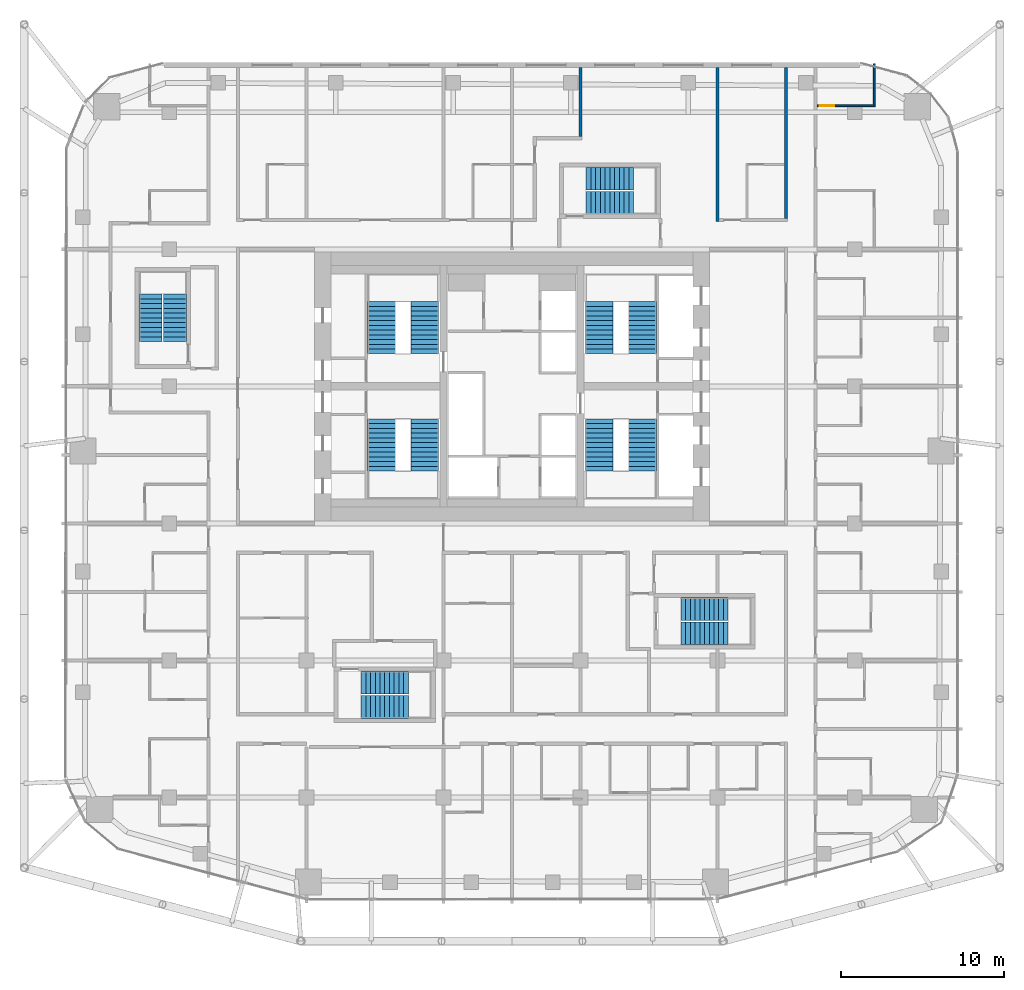
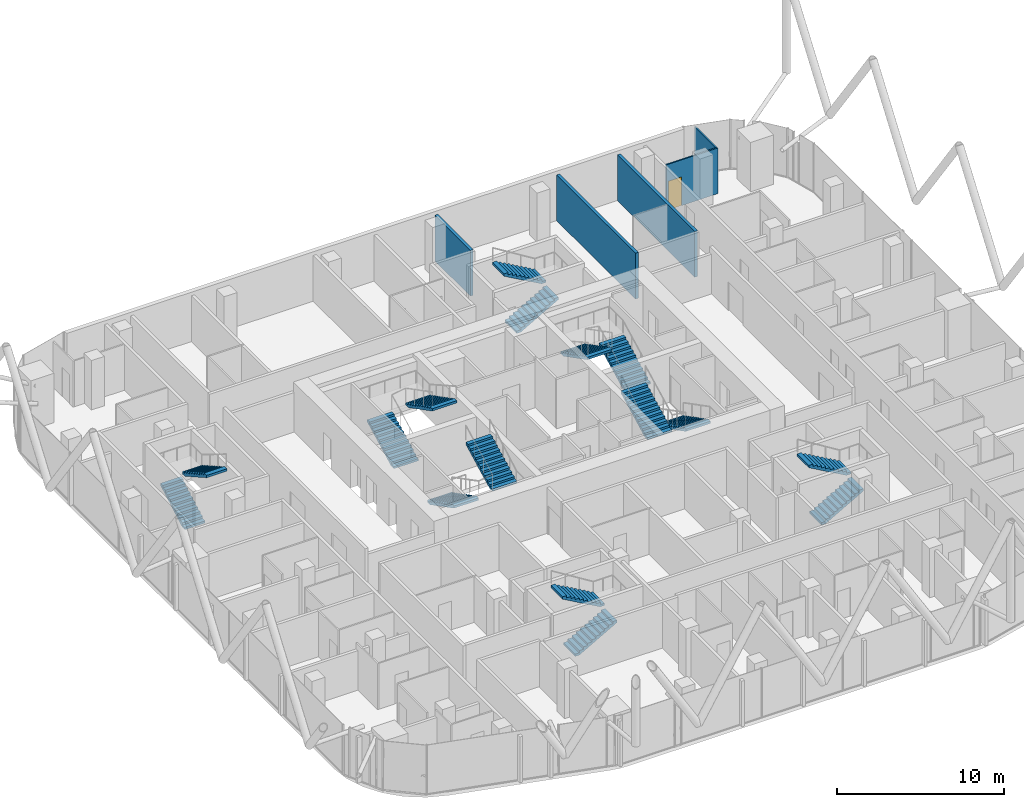
# One storey, part 34 of 36: 16 stair flights, 5 walls, 1 door, 1 opening, 8 elements without a shape of their own.
"""IFC4 building model written with IfcOpenShell, lengths in metres."""

from ifc_helpers import new_model, si_unit, direction, frame, frame_2d, origin, place, context, subcontext, project, spatial, polyline, rectangle, outline, extrude, material, layer, layer_set, type_object, element, fill, aggregate, save


model = new_model("IFC4")

# Units and contexts
model_context = context("Model", 3, precision=1e-05, world=origin(), true_north=direction((0.0, 1.0)))
body_context = subcontext(model_context, "Body", "Model", "MODEL_VIEW")
ifc_project = project(units=[si_unit("LENGTHUNIT", "METRE"), si_unit("AREAUNIT", "SQUARE_METRE"), si_unit("VOLUMEUNIT", "CUBIC_METRE"), si_unit("PLANEANGLEUNIT", "RADIAN"), si_unit("MASSUNIT", "GRAM", prefix="KILO")], contexts=[model_context])

# Site, building, storey
site_placement = place(None, origin())
site = spatial("IfcSite", under=ifc_project, at=site_placement, CompositionType="ELEMENT")
building_placement = place(site_placement, origin())
building = spatial("IfcBuilding", under=site, at=building_placement, Name="Marenta Gate Hotel Tower", CompositionType="ELEMENT")
storey_placement = place(building_placement, frame((0.0, 0.0, 144.5)))
storey = spatial("IfcBuildingStorey", under=building, at=storey_placement, Name="L33", CompositionType="ELEMENT", Elevation=144.5)

# Walls
ifc_material_1 = material(Name="Gypsum board on steel stud", Category="steel")
ifc_layer_1 = layer(ifc_material_1, 0.199951171875)
ifc_layer_set_1 = layer_set([ifc_layer_1], Name="Gypsum board on steel stud")
wall_type_1 = type_object("IfcWallType", Name="Room corridor wall 200 EI 60", PredefinedType="PARTITIONING", material=ifc_layer_set_1)
wall_1_placement = place(storey_placement, frame((16.800048828125, 18.699951171875, 0.0), z_axis=(0.0, 0.0, 1.0), x_axis=(0.0, 1.0, 0.0)))
element("IfcWall", 1, at=wall_1_placement, inside=storey, type_object=wall_type_1, Name="L33-PTN-W019", PredefinedType="PARTITIONING", context=body_context, shape_type="SweptSolid", body=[
    extrude(rectangle(XDim=9.239990234375, YDim=0.199951171875, at=frame_2d((4.6201171875, 0.0))), origin(), (0.0, 0.0, 1.0), 3.340087890625),
])
wall_2_placement = place(storey_placement, frame((12.60009765625, 18.5, 0.0), z_axis=(0.0, 0.0, 1.0), x_axis=(0.0, 1.0, 0.0)))
element("IfcWall", 2, at=wall_2_placement, inside=storey, type_object=wall_type_1, Name="L33-PTN-W035", PredefinedType="PARTITIONING", context=body_context, shape_type="SweptSolid", body=[
    extrude(rectangle(XDim=9.43994140625, YDim=0.199951171875, at=frame_2d((4.719970703125, 0.0))), origin(), (0.0, 0.0, 1.0), 3.340087890625),
])
wall_3_placement = place(storey_placement, frame((4.199951171875, 23.699951171875, 0.0), z_axis=(0.0, 0.0, 1.0), x_axis=(0.0, 1.0, 0.0)))
element("IfcWall", 3, at=wall_3_placement, inside=storey, type_object=wall_type_1, Name="L33-PTN-W062", PredefinedType="PARTITIONING", context=body_context, shape_type="SweptSolid", body=[
    extrude(rectangle(XDim=4.239990234375, YDim=0.199951171875, at=frame_2d((2.1201171875, 0.0))), origin(), (0.0, 0.0, 1.0), 3.340087890625),
])
ifc_material_2 = material(Name="Gypsum board on steel stud", Category="steel")
ifc_layer_2 = layer(ifc_material_2, 0.10009765625)
ifc_layer_set_2 = layer_set([ifc_layer_2], Name="Gypsum board on steel stud")
wall_type_2 = type_object("IfcWallType", Name="Room partition 100", PredefinedType="PARTITIONING", material=ifc_layer_set_2)
wall_4_placement = place(storey_placement, frame((22.199951171875, 25.64990234375, 0.0), z_axis=(0.0, 0.0, 1.0), x_axis=(0.0, 1.0, 0.0)))
element("IfcWall", 4, at=wall_4_placement, inside=storey, type_object=wall_type_2, Name="L33-PTN-W002", PredefinedType="PARTITIONING", context=body_context, shape_type="SweptSolid", body=[
    extrude(rectangle(XDim=2.531982421875, YDim=0.10009765625, at=frame_2d((1.26611328125, 0.0))), origin(), (0.0, 0.0, 1.0), 3.340087890625),
])

# Wall, opening, door
wall_5_placement = place(storey_placement, frame((18.699951171875, 25.60009765625, 0.0), z_axis=(0.0, 0.0, 1.0), x_axis=(1.0, 0.0, 0.0)))
wall_5 = element("IfcWall", 5, at=wall_5_placement, inside=storey, type_object=wall_type_2, Name="L33-PTN-W130", PredefinedType="PARTITIONING", context=body_context, shape_type="SweptSolid", body=[
    extrude(rectangle(XDim=3.550048828125, YDim=0.10009765625, at=frame_2d((1.77490234375, 0.0))), origin(), (0.0, 0.0, 1.0), 3.340087890625),
])
opening_placement = place(wall_5_placement, frame((0.14990234375, 0.0, 0.0)))
opening = element("IfcOpeningElement", 6, at=opening_placement, cuts=wall_5, Name="Opening G12-28", PredefinedType="OPENING", context=body_context, shape_type="SweptSolid", body=[
    extrude(rectangle(XDim=0.89990234375, YDim=2.10009765625, at=frame_2d((0.449951171875, 1.050048828125))), frame((0.0, 0.050048828125, 0.0), z_axis=(0.0, -1.0, 0.0), x_axis=(1.0, 0.0, 0.0)), (0.0, 0.0, 1.0), 0.10009765625),
])
ifc_material_3 = material(Name="Timber door leaf", Category="wood")
door_type = type_object("IfcDoorType", Name="Room inner door 900x2100", OperationType="NOTDEFINED", PredefinedType="DOOR", material=ifc_material_3)
door_placement = place(opening_placement, origin())
door = element("IfcDoor", 7, at=door_placement, inside=storey, type_object=door_type, Name="L33-PD-D028", OperationType="SINGLE_SWING_LEFT", OverallHeight=2.10009765625, OverallWidth=0.89990234375, PredefinedType="DOOR", context=body_context, shape_type="SweptSolid", body=[
    extrude(rectangle(XDim=0.89990234375, YDim=2.10009765625, at=frame_2d((0.449951171875, 1.050048828125))), frame((0.0, 0.02490234375, 0.0), z_axis=(0.0, -1.0, 0.0), x_axis=(1.0, 0.0, 0.0)), (0.0, 0.0, 1.0), 0.050048828125),
])
fill(opening, door)

# Stair, stair flights
ifc_material_4 = material(Name="Concrete C40", Category="concrete")
stair_type_1 = type_object("IfcStairType", Name="Core exit stair 1700 wide", PredefinedType="HALF_TURN_STAIR", material=ifc_material_4)
stair_1_placement = place(storey_placement, origin())
stair_1 = element("IfcStair", 8, at=stair_1_placement, inside=storey, type_object=stair_type_1, Name="Exit stair 1", PredefinedType="HALF_TURN_STAIR")
ifc_material_5 = material(Name="Concrete C40", Category="concrete")
stair_flight_type_1 = type_object("IfcStairFlightType", Name="Core stair flight 1700 riser 150.0 going 290", PredefinedType="STRAIGHT", material=ifc_material_5)
stair_flight_1_placement = place(storey_placement, frame((-8.0, 6.39990234375, 0.0), z_axis=(0.0, 0.0, 1.0), x_axis=(0.0, -1.0, 0.0)))
stair_flight_1 = element("IfcStairFlight", 9, at=stair_flight_1_placement, type_object=stair_flight_type_1, Name="ST1 flight 1", NumberOfRisers=12, NumberOfTreads=11, PredefinedType="STRAIGHT", RiserHeight=0.15, TreadLength=0.29, context=body_context, shape_type="SweptSolid", body=[
    extrude(outline(polyline([(0.0, 0.0), (0.0, 0.14990234375), (0.2900390625, 0.14990234375), (0.2900390625, 0.300048828125), (0.580078125, 0.300048828125), (0.580078125, 0.449951171875), (0.8701171875, 0.449951171875), (0.8701171875, 0.60009765625), (1.159912109375, 0.60009765625), (1.159912109375, 0.75), (1.449951171875, 0.75), (1.449951171875, 0.89990234375), (1.739990234375, 0.89990234375), (1.739990234375, 1.050048828125), (2.030029296875, 1.050048828125), (2.030029296875, 1.199951171875), (2.320068359375, 1.199951171875), (2.320068359375, 1.35009765625), (2.610107421875, 1.35009765625), (2.610107421875, 1.5), (2.89990234375, 1.5), (2.89990234375, 1.64990234375), (3.18994140625, 1.64990234375), (3.18994140625, 1.800048828125), (3.18994140625, 1.481201171875), (0.326171875, 0.0), (0.0, 0.0)])), frame((0.0, 0.85009765625, 0.0), z_axis=(0.0, -1.0, 0.0), x_axis=(1.0, 0.0, 0.0)), (0.0, 0.0, 1.0), 1.699951171875),
])
stair_flight_2_placement = place(storey_placement, frame((-5.35009765625, 3.2099609375, 1.800048828125), z_axis=(0.0, 0.0, 1.0), x_axis=(0.0, 1.0, 0.0)))
stair_flight_2 = element("IfcStairFlight", 10, at=stair_flight_2_placement, type_object=stair_flight_type_1, Name="ST1 flight 2", NumberOfRisers=12, NumberOfTreads=11, PredefinedType="STRAIGHT", RiserHeight=0.15, TreadLength=0.29, context=body_context, shape_type="SweptSolid", body=[
    extrude(outline(polyline([(0.0, 0.0), (0.0, 0.14990234375), (0.2900390625, 0.14990234375), (0.2900390625, 0.300048828125), (0.580078125, 0.300048828125), (0.580078125, 0.449951171875), (0.8701171875, 0.449951171875), (0.8701171875, 0.60009765625), (1.159912109375, 0.60009765625), (1.159912109375, 0.75), (1.449951171875, 0.75), (1.449951171875, 0.89990234375), (1.739990234375, 0.89990234375), (1.739990234375, 1.050048828125), (2.030029296875, 1.050048828125), (2.030029296875, 1.199951171875), (2.320068359375, 1.199951171875), (2.320068359375, 1.35009765625), (2.610107421875, 1.35009765625), (2.610107421875, 1.5), (2.89990234375, 1.5), (2.89990234375, 1.64990234375), (3.18994140625, 1.64990234375), (3.18994140625, 1.800048828125), (3.18994140625, 1.481201171875), (0.326171875, 0.0), (0.0, 0.0)])), frame((0.0, 0.85009765625, 0.0), z_axis=(0.0, -1.0, 0.0), x_axis=(1.0, 0.0, 0.0)), (0.0, 0.0, 1.0), 1.699951171875),
])
aggregate(stair_1, [stair_flight_1, stair_flight_2])

stair_2_placement = place(storey_placement, origin())
stair_2 = element("IfcStair", 11, at=stair_2_placement, inside=storey, type_object=stair_type_1, Name="Exit stair 2", PredefinedType="HALF_TURN_STAIR")
stair_flight_3_placement = place(storey_placement, frame((-8.0, 10.39990234375, 0.0), z_axis=(0.0, 0.0, 1.0), x_axis=(0.0, 1.0, 0.0)))
stair_flight_3 = element("IfcStairFlight", 12, at=stair_flight_3_placement, type_object=stair_flight_type_1, Name="ST2 flight 1", NumberOfRisers=12, NumberOfTreads=11, PredefinedType="STRAIGHT", RiserHeight=0.15, TreadLength=0.29, context=body_context, shape_type="SweptSolid", body=[
    extrude(outline(polyline([(0.0, 0.0), (0.0, 0.14990234375), (0.2900390625, 0.14990234375), (0.2900390625, 0.300048828125), (0.580078125, 0.300048828125), (0.580078125, 0.449951171875), (0.8701171875, 0.449951171875), (0.8701171875, 0.60009765625), (1.159912109375, 0.60009765625), (1.159912109375, 0.75), (1.449951171875, 0.75), (1.449951171875, 0.89990234375), (1.739990234375, 0.89990234375), (1.739990234375, 1.050048828125), (2.030029296875, 1.050048828125), (2.030029296875, 1.199951171875), (2.320068359375, 1.199951171875), (2.320068359375, 1.35009765625), (2.610107421875, 1.35009765625), (2.610107421875, 1.5), (2.89990234375, 1.5), (2.89990234375, 1.64990234375), (3.18994140625, 1.64990234375), (3.18994140625, 1.800048828125), (3.18994140625, 1.481201171875), (0.326171875, 0.0), (0.0, 0.0)])), frame((0.0, 0.85009765625, 0.0), z_axis=(0.0, -1.0, 0.0), x_axis=(1.0, 0.0, 0.0)), (0.0, 0.0, 1.0), 1.699951171875),
])
stair_flight_4_placement = place(storey_placement, frame((-5.35009765625, 13.590087890625, 1.800048828125), z_axis=(0.0, 0.0, 1.0), x_axis=(0.0, -1.0, 0.0)))
stair_flight_4 = element("IfcStairFlight", 13, at=stair_flight_4_placement, type_object=stair_flight_type_1, Name="ST2 flight 2", NumberOfRisers=12, NumberOfTreads=11, PredefinedType="STRAIGHT", RiserHeight=0.15, TreadLength=0.29, context=body_context, shape_type="SweptSolid", body=[
    extrude(outline(polyline([(0.0, 0.0), (0.0, 0.14990234375), (0.2900390625, 0.14990234375), (0.2900390625, 0.300048828125), (0.580078125, 0.300048828125), (0.580078125, 0.449951171875), (0.8701171875, 0.449951171875), (0.8701171875, 0.60009765625), (1.159912109375, 0.60009765625), (1.159912109375, 0.75), (1.449951171875, 0.75), (1.449951171875, 0.89990234375), (1.739990234375, 0.89990234375), (1.739990234375, 1.050048828125), (2.030029296875, 1.050048828125), (2.030029296875, 1.199951171875), (2.320068359375, 1.199951171875), (2.320068359375, 1.35009765625), (2.610107421875, 1.35009765625), (2.610107421875, 1.5), (2.89990234375, 1.5), (2.89990234375, 1.64990234375), (3.18994140625, 1.64990234375), (3.18994140625, 1.800048828125), (3.18994140625, 1.481201171875), (0.326171875, 0.0), (0.0, 0.0)])), frame((0.0, 0.85009765625, 0.0), z_axis=(0.0, -1.0, 0.0), x_axis=(1.0, 0.0, 0.0)), (0.0, 0.0, 1.0), 1.699951171875),
])
aggregate(stair_2, [stair_flight_3, stair_flight_4])

stair_3_placement = place(storey_placement, origin())
stair_3 = element("IfcStair", 14, at=stair_3_placement, inside=storey, type_object=stair_type_1, Name="Exit stair 3", PredefinedType="HALF_TURN_STAIR")
stair_flight_5_placement = place(storey_placement, frame((8.0, 6.39990234375, 0.0), z_axis=(0.0, 0.0, 1.0), x_axis=(0.0, -1.0, 0.0)))
stair_flight_5 = element("IfcStairFlight", 15, at=stair_flight_5_placement, type_object=stair_flight_type_1, Name="ST3 flight 1", NumberOfRisers=12, NumberOfTreads=11, PredefinedType="STRAIGHT", RiserHeight=0.15, TreadLength=0.29, context=body_context, shape_type="SweptSolid", body=[
    extrude(outline(polyline([(0.0, 0.0), (0.0, 0.14990234375), (0.2900390625, 0.14990234375), (0.2900390625, 0.300048828125), (0.580078125, 0.300048828125), (0.580078125, 0.449951171875), (0.8701171875, 0.449951171875), (0.8701171875, 0.60009765625), (1.159912109375, 0.60009765625), (1.159912109375, 0.75), (1.449951171875, 0.75), (1.449951171875, 0.89990234375), (1.739990234375, 0.89990234375), (1.739990234375, 1.050048828125), (2.030029296875, 1.050048828125), (2.030029296875, 1.199951171875), (2.320068359375, 1.199951171875), (2.320068359375, 1.35009765625), (2.610107421875, 1.35009765625), (2.610107421875, 1.5), (2.89990234375, 1.5), (2.89990234375, 1.64990234375), (3.18994140625, 1.64990234375), (3.18994140625, 1.800048828125), (3.18994140625, 1.481201171875), (0.326171875, 0.0), (0.0, 0.0)])), frame((0.0, 0.85009765625, 0.0), z_axis=(0.0, -1.0, 0.0), x_axis=(1.0, 0.0, 0.0)), (0.0, 0.0, 1.0), 1.699951171875),
])
stair_flight_6_placement = place(storey_placement, frame((5.35009765625, 3.2099609375, 1.800048828125), z_axis=(0.0, 0.0, 1.0), x_axis=(0.0, 1.0, 0.0)))
stair_flight_6 = element("IfcStairFlight", 16, at=stair_flight_6_placement, type_object=stair_flight_type_1, Name="ST3 flight 2", NumberOfRisers=12, NumberOfTreads=11, PredefinedType="STRAIGHT", RiserHeight=0.15, TreadLength=0.29, context=body_context, shape_type="SweptSolid", body=[
    extrude(outline(polyline([(0.0, 0.0), (0.0, 0.14990234375), (0.2900390625, 0.14990234375), (0.2900390625, 0.300048828125), (0.580078125, 0.300048828125), (0.580078125, 0.449951171875), (0.8701171875, 0.449951171875), (0.8701171875, 0.60009765625), (1.159912109375, 0.60009765625), (1.159912109375, 0.75), (1.449951171875, 0.75), (1.449951171875, 0.89990234375), (1.739990234375, 0.89990234375), (1.739990234375, 1.050048828125), (2.030029296875, 1.050048828125), (2.030029296875, 1.199951171875), (2.320068359375, 1.199951171875), (2.320068359375, 1.35009765625), (2.610107421875, 1.35009765625), (2.610107421875, 1.5), (2.89990234375, 1.5), (2.89990234375, 1.64990234375), (3.18994140625, 1.64990234375), (3.18994140625, 1.800048828125), (3.18994140625, 1.481201171875), (0.326171875, 0.0), (0.0, 0.0)])), frame((0.0, 0.85009765625, 0.0), z_axis=(0.0, -1.0, 0.0), x_axis=(1.0, 0.0, 0.0)), (0.0, 0.0, 1.0), 1.699951171875),
])
aggregate(stair_3, [stair_flight_5, stair_flight_6])

stair_4_placement = place(storey_placement, origin())
stair_4 = element("IfcStair", 17, at=stair_4_placement, inside=storey, type_object=stair_type_1, Name="Exit stair 4", PredefinedType="HALF_TURN_STAIR")
stair_flight_7_placement = place(storey_placement, frame((8.0, 10.39990234375, 0.0), z_axis=(0.0, 0.0, 1.0), x_axis=(0.0, 1.0, 0.0)))
stair_flight_7 = element("IfcStairFlight", 18, at=stair_flight_7_placement, type_object=stair_flight_type_1, Name="ST4 flight 1", NumberOfRisers=12, NumberOfTreads=11, PredefinedType="STRAIGHT", RiserHeight=0.15, TreadLength=0.29, context=body_context, shape_type="SweptSolid", body=[
    extrude(outline(polyline([(0.0, 0.0), (0.0, 0.14990234375), (0.2900390625, 0.14990234375), (0.2900390625, 0.300048828125), (0.580078125, 0.300048828125), (0.580078125, 0.449951171875), (0.8701171875, 0.449951171875), (0.8701171875, 0.60009765625), (1.159912109375, 0.60009765625), (1.159912109375, 0.75), (1.449951171875, 0.75), (1.449951171875, 0.89990234375), (1.739990234375, 0.89990234375), (1.739990234375, 1.050048828125), (2.030029296875, 1.050048828125), (2.030029296875, 1.199951171875), (2.320068359375, 1.199951171875), (2.320068359375, 1.35009765625), (2.610107421875, 1.35009765625), (2.610107421875, 1.5), (2.89990234375, 1.5), (2.89990234375, 1.64990234375), (3.18994140625, 1.64990234375), (3.18994140625, 1.800048828125), (3.18994140625, 1.481201171875), (0.326171875, 0.0), (0.0, 0.0)])), frame((0.0, 0.85009765625, 0.0), z_axis=(0.0, -1.0, 0.0), x_axis=(1.0, 0.0, 0.0)), (0.0, 0.0, 1.0), 1.699951171875),
])
stair_flight_8_placement = place(storey_placement, frame((5.35009765625, 13.590087890625, 1.800048828125), z_axis=(0.0, 0.0, 1.0), x_axis=(0.0, -1.0, 0.0)))
stair_flight_8 = element("IfcStairFlight", 19, at=stair_flight_8_placement, type_object=stair_flight_type_1, Name="ST4 flight 2", NumberOfRisers=12, NumberOfTreads=11, PredefinedType="STRAIGHT", RiserHeight=0.15, TreadLength=0.29, context=body_context, shape_type="SweptSolid", body=[
    extrude(outline(polyline([(0.0, 0.0), (0.0, 0.14990234375), (0.2900390625, 0.14990234375), (0.2900390625, 0.300048828125), (0.580078125, 0.300048828125), (0.580078125, 0.449951171875), (0.8701171875, 0.449951171875), (0.8701171875, 0.60009765625), (1.159912109375, 0.60009765625), (1.159912109375, 0.75), (1.449951171875, 0.75), (1.449951171875, 0.89990234375), (1.739990234375, 0.89990234375), (1.739990234375, 1.050048828125), (2.030029296875, 1.050048828125), (2.030029296875, 1.199951171875), (2.320068359375, 1.199951171875), (2.320068359375, 1.35009765625), (2.610107421875, 1.35009765625), (2.610107421875, 1.5), (2.89990234375, 1.5), (2.89990234375, 1.64990234375), (3.18994140625, 1.64990234375), (3.18994140625, 1.800048828125), (3.18994140625, 1.481201171875), (0.326171875, 0.0), (0.0, 0.0)])), frame((0.0, 0.85009765625, 0.0), z_axis=(0.0, -1.0, 0.0), x_axis=(1.0, 0.0, 0.0)), (0.0, 0.0, 1.0), 1.699951171875),
])
aggregate(stair_4, [stair_flight_7, stair_flight_8])

ifc_material_6 = material(Name="Concrete C40", Category="concrete")
stair_type_2 = type_object("IfcStairType", Name="Remote exit stair 1400 wide", PredefinedType="HALF_TURN_STAIR", material=ifc_material_6)
stair_5_placement = place(storey_placement, origin())
stair_5 = element("IfcStair", 20, at=stair_5_placement, inside=storey, type_object=stair_type_2, Name="Exit stair RS-Z1-3", PredefinedType="HALF_TURN_STAIR")
ifc_material_7 = material(Name="Concrete C40", Category="concrete")
stair_flight_type_2 = type_object("IfcStairFlightType", Name="Remote stair flight 1400 riser 163.6 going 290", PredefinedType="STRAIGHT", material=ifc_material_7)
stair_flight_9_placement = place(storey_placement, frame((-22.14990234375, 11.14990234375, 0.0), z_axis=(0.0, 0.0, 1.0), x_axis=(0.0, 1.0, 0.0)))
stair_flight_9 = element("IfcStairFlight", 21, at=stair_flight_9_placement, type_object=stair_flight_type_2, Name="RS-Z1-3 flight 1", NumberOfRisers=11, NumberOfTreads=10, PredefinedType="STRAIGHT", RiserHeight=0.163636, TreadLength=0.29, context=body_context, shape_type="SweptSolid", body=[
    extrude(outline(polyline([(0.0, 0.0), (0.0, 0.16357421875), (0.2900390625, 0.16357421875), (0.2900390625, 0.327392578125), (0.580078125, 0.327392578125), (0.580078125, 0.490966796875), (0.8701171875, 0.490966796875), (0.8701171875, 0.654541015625), (1.159912109375, 0.654541015625), (1.159912109375, 0.818115234375), (1.449951171875, 0.818115234375), (1.449951171875, 0.98193359375), (1.739990234375, 0.98193359375), (1.739990234375, 1.1455078125), (2.030029296875, 1.1455078125), (2.030029296875, 1.30908203125), (2.320068359375, 1.30908203125), (2.320068359375, 1.47265625), (2.610107421875, 1.47265625), (2.610107421875, 1.636474609375), (2.89990234375, 1.636474609375), (2.89990234375, 1.800048828125), (2.89990234375, 1.46435546875), (0.304931640625, 0.0), (0.0, 0.0)])), frame((0.0, 0.699951171875, 0.0), z_axis=(0.0, -1.0, 0.0), x_axis=(1.0, 0.0, 0.0)), (0.0, 0.0, 1.0), 1.39990234375),
])
stair_flight_10_placement = place(storey_placement, frame((-20.64990234375, 14.050048828125, 1.800048828125), z_axis=(0.0, 0.0, 1.0), x_axis=(0.0, -1.0, 0.0)))
stair_flight_10 = element("IfcStairFlight", 22, at=stair_flight_10_placement, type_object=stair_flight_type_2, Name="RS-Z1-3 flight 2", NumberOfRisers=11, NumberOfTreads=10, PredefinedType="STRAIGHT", RiserHeight=0.163636, TreadLength=0.29, context=body_context, shape_type="SweptSolid", body=[
    extrude(outline(polyline([(0.0, 0.0), (0.0, 0.16357421875), (0.2900390625, 0.16357421875), (0.2900390625, 0.327392578125), (0.580078125, 0.327392578125), (0.580078125, 0.490966796875), (0.8701171875, 0.490966796875), (0.8701171875, 0.654541015625), (1.159912109375, 0.654541015625), (1.159912109375, 0.818115234375), (1.449951171875, 0.818115234375), (1.449951171875, 0.98193359375), (1.739990234375, 0.98193359375), (1.739990234375, 1.1455078125), (2.030029296875, 1.1455078125), (2.030029296875, 1.30908203125), (2.320068359375, 1.30908203125), (2.320068359375, 1.47265625), (2.610107421875, 1.47265625), (2.610107421875, 1.636474609375), (2.89990234375, 1.636474609375), (2.89990234375, 1.800048828125), (2.89990234375, 1.46435546875), (0.304931640625, 0.0), (0.0, 0.0)])), frame((0.0, 0.699951171875, 0.0), z_axis=(0.0, -1.0, 0.0), x_axis=(1.0, 0.0, 0.0)), (0.0, 0.0, 1.0), 1.39990234375),
])
aggregate(stair_5, [stair_flight_9, stair_flight_10])

stair_6_placement = place(storey_placement, origin())
stair_6 = element("IfcStair", 23, at=stair_6_placement, inside=storey, type_object=stair_type_2, Name="Exit stair RS-Z2-1", PredefinedType="HALF_TURN_STAIR")
stair_flight_11_placement = place(storey_placement, frame((-9.25, -11.25, 0.0), z_axis=(0.0, 0.0, 1.0), x_axis=(1.0, 0.0, 0.0)))
stair_flight_11 = element("IfcStairFlight", 24, at=stair_flight_11_placement, type_object=stair_flight_type_2, Name="RS-Z2-1 flight 1", NumberOfRisers=11, NumberOfTreads=10, PredefinedType="STRAIGHT", RiserHeight=0.163636, TreadLength=0.29, context=body_context, shape_type="SweptSolid", body=[
    extrude(outline(polyline([(0.0, 0.0), (0.0, 0.16357421875), (0.2900390625, 0.16357421875), (0.2900390625, 0.327392578125), (0.580078125, 0.327392578125), (0.580078125, 0.490966796875), (0.8701171875, 0.490966796875), (0.8701171875, 0.654541015625), (1.159912109375, 0.654541015625), (1.159912109375, 0.818115234375), (1.449951171875, 0.818115234375), (1.449951171875, 0.98193359375), (1.739990234375, 0.98193359375), (1.739990234375, 1.1455078125), (2.030029296875, 1.1455078125), (2.030029296875, 1.30908203125), (2.320068359375, 1.30908203125), (2.320068359375, 1.47265625), (2.610107421875, 1.47265625), (2.610107421875, 1.636474609375), (2.89990234375, 1.636474609375), (2.89990234375, 1.800048828125), (2.89990234375, 1.46435546875), (0.304931640625, 0.0), (0.0, 0.0)])), frame((0.0, 0.699951171875, 0.0), z_axis=(0.0, -1.0, 0.0), x_axis=(1.0, 0.0, 0.0)), (0.0, 0.0, 1.0), 1.39990234375),
])
stair_flight_12_placement = place(storey_placement, frame((-6.35009765625, -9.75, 1.800048828125), z_axis=(0.0, 0.0, 1.0), x_axis=(-1.0, 0.0, 0.0)))
stair_flight_12 = element("IfcStairFlight", 25, at=stair_flight_12_placement, type_object=stair_flight_type_2, Name="RS-Z2-1 flight 2", NumberOfRisers=11, NumberOfTreads=10, PredefinedType="STRAIGHT", RiserHeight=0.163636, TreadLength=0.29, context=body_context, shape_type="SweptSolid", body=[
    extrude(outline(polyline([(0.0, 0.0), (0.0, 0.16357421875), (0.2900390625, 0.16357421875), (0.2900390625, 0.327392578125), (0.580078125, 0.327392578125), (0.580078125, 0.490966796875), (0.8701171875, 0.490966796875), (0.8701171875, 0.654541015625), (1.159912109375, 0.654541015625), (1.159912109375, 0.818115234375), (1.449951171875, 0.818115234375), (1.449951171875, 0.98193359375), (1.739990234375, 0.98193359375), (1.739990234375, 1.1455078125), (2.030029296875, 1.1455078125), (2.030029296875, 1.30908203125), (2.320068359375, 1.30908203125), (2.320068359375, 1.47265625), (2.610107421875, 1.47265625), (2.610107421875, 1.636474609375), (2.89990234375, 1.636474609375), (2.89990234375, 1.800048828125), (2.89990234375, 1.46435546875), (0.304931640625, 0.0), (0.0, 0.0)])), frame((0.0, 0.699951171875, 0.0), z_axis=(0.0, -1.0, 0.0), x_axis=(1.0, 0.0, 0.0)), (0.0, 0.0, 1.0), 1.39990234375),
])
aggregate(stair_6, [stair_flight_11, stair_flight_12])

stair_7_placement = place(storey_placement, origin())
stair_7 = element("IfcStair", 26, at=stair_7_placement, inside=storey, type_object=stair_type_2, Name="Exit stair RS-Z2-2", PredefinedType="HALF_TURN_STAIR")
stair_flight_13_placement = place(storey_placement, frame((10.35009765625, -6.75, 0.0), z_axis=(0.0, 0.0, 1.0), x_axis=(1.0, 0.0, 0.0)))
stair_flight_13 = element("IfcStairFlight", 27, at=stair_flight_13_placement, type_object=stair_flight_type_2, Name="RS-Z2-2 flight 1", NumberOfRisers=11, NumberOfTreads=10, PredefinedType="STRAIGHT", RiserHeight=0.163636, TreadLength=0.29, context=body_context, shape_type="SweptSolid", body=[
    extrude(outline(polyline([(0.0, 0.0), (0.0, 0.16357421875), (0.2900390625, 0.16357421875), (0.2900390625, 0.327392578125), (0.580078125, 0.327392578125), (0.580078125, 0.490966796875), (0.8701171875, 0.490966796875), (0.8701171875, 0.654541015625), (1.159912109375, 0.654541015625), (1.159912109375, 0.818115234375), (1.449951171875, 0.818115234375), (1.449951171875, 0.98193359375), (1.739990234375, 0.98193359375), (1.739990234375, 1.1455078125), (2.030029296875, 1.1455078125), (2.030029296875, 1.30908203125), (2.320068359375, 1.30908203125), (2.320068359375, 1.47265625), (2.610107421875, 1.47265625), (2.610107421875, 1.636474609375), (2.89990234375, 1.636474609375), (2.89990234375, 1.800048828125), (2.89990234375, 1.46435546875), (0.304931640625, 0.0), (0.0, 0.0)])), frame((0.0, 0.699951171875, 0.0), z_axis=(0.0, -1.0, 0.0), x_axis=(1.0, 0.0, 0.0)), (0.0, 0.0, 1.0), 1.39990234375),
])
stair_flight_14_placement = place(storey_placement, frame((13.25, -5.25, 1.800048828125), z_axis=(0.0, 0.0, 1.0), x_axis=(-1.0, 0.0, 0.0)))
stair_flight_14 = element("IfcStairFlight", 28, at=stair_flight_14_placement, type_object=stair_flight_type_2, Name="RS-Z2-2 flight 2", NumberOfRisers=11, NumberOfTreads=10, PredefinedType="STRAIGHT", RiserHeight=0.163636, TreadLength=0.29, context=body_context, shape_type="SweptSolid", body=[
    extrude(outline(polyline([(0.0, 0.0), (0.0, 0.16357421875), (0.2900390625, 0.16357421875), (0.2900390625, 0.327392578125), (0.580078125, 0.327392578125), (0.580078125, 0.490966796875), (0.8701171875, 0.490966796875), (0.8701171875, 0.654541015625), (1.159912109375, 0.654541015625), (1.159912109375, 0.818115234375), (1.449951171875, 0.818115234375), (1.449951171875, 0.98193359375), (1.739990234375, 0.98193359375), (1.739990234375, 1.1455078125), (2.030029296875, 1.1455078125), (2.030029296875, 1.30908203125), (2.320068359375, 1.30908203125), (2.320068359375, 1.47265625), (2.610107421875, 1.47265625), (2.610107421875, 1.636474609375), (2.89990234375, 1.636474609375), (2.89990234375, 1.800048828125), (2.89990234375, 1.46435546875), (0.304931640625, 0.0), (0.0, 0.0)])), frame((0.0, 0.699951171875, 0.0), z_axis=(0.0, -1.0, 0.0), x_axis=(1.0, 0.0, 0.0)), (0.0, 0.0, 1.0), 1.39990234375),
])
aggregate(stair_7, [stair_flight_13, stair_flight_14])

stair_8_placement = place(storey_placement, origin())
stair_8 = element("IfcStair", 29, at=stair_8_placement, inside=storey, type_object=stair_type_2, Name="Exit stair RS-Z2-4", PredefinedType="HALF_TURN_STAIR")
stair_flight_15_placement = place(storey_placement, frame((4.550048828125, 19.64990234375, 0.0), z_axis=(0.0, 0.0, 1.0), x_axis=(1.0, 0.0, 0.0)))
stair_flight_15 = element("IfcStairFlight", 30, at=stair_flight_15_placement, type_object=stair_flight_type_2, Name="RS-Z2-4 flight 1", NumberOfRisers=11, NumberOfTreads=10, PredefinedType="STRAIGHT", RiserHeight=0.163636, TreadLength=0.29, context=body_context, shape_type="SweptSolid", body=[
    extrude(outline(polyline([(0.0, 0.0), (0.0, 0.16357421875), (0.2900390625, 0.16357421875), (0.2900390625, 0.327392578125), (0.580078125, 0.327392578125), (0.580078125, 0.490966796875), (0.8701171875, 0.490966796875), (0.8701171875, 0.654541015625), (1.159912109375, 0.654541015625), (1.159912109375, 0.818115234375), (1.449951171875, 0.818115234375), (1.449951171875, 0.98193359375), (1.739990234375, 0.98193359375), (1.739990234375, 1.1455078125), (2.030029296875, 1.1455078125), (2.030029296875, 1.30908203125), (2.320068359375, 1.30908203125), (2.320068359375, 1.47265625), (2.610107421875, 1.47265625), (2.610107421875, 1.636474609375), (2.89990234375, 1.636474609375), (2.89990234375, 1.800048828125), (2.89990234375, 1.46435546875), (0.304931640625, 0.0), (0.0, 0.0)])), frame((0.0, 0.699951171875, 0.0), z_axis=(0.0, -1.0, 0.0), x_axis=(1.0, 0.0, 0.0)), (0.0, 0.0, 1.0), 1.39990234375),
])
stair_flight_16_placement = place(storey_placement, frame((7.449951171875, 21.14990234375, 1.800048828125), z_axis=(0.0, 0.0, 1.0), x_axis=(-1.0, 0.0, 0.0)))
stair_flight_16 = element("IfcStairFlight", 31, at=stair_flight_16_placement, type_object=stair_flight_type_2, Name="RS-Z2-4 flight 2", NumberOfRisers=11, NumberOfTreads=10, PredefinedType="STRAIGHT", RiserHeight=0.163636, TreadLength=0.29, context=body_context, shape_type="SweptSolid", body=[
    extrude(outline(polyline([(0.0, 0.0), (0.0, 0.16357421875), (0.2900390625, 0.16357421875), (0.2900390625, 0.327392578125), (0.580078125, 0.327392578125), (0.580078125, 0.490966796875), (0.8701171875, 0.490966796875), (0.8701171875, 0.654541015625), (1.159912109375, 0.654541015625), (1.159912109375, 0.818115234375), (1.449951171875, 0.818115234375), (1.449951171875, 0.98193359375), (1.739990234375, 0.98193359375), (1.739990234375, 1.1455078125), (2.030029296875, 1.1455078125), (2.030029296875, 1.30908203125), (2.320068359375, 1.30908203125), (2.320068359375, 1.47265625), (2.610107421875, 1.47265625), (2.610107421875, 1.636474609375), (2.89990234375, 1.636474609375), (2.89990234375, 1.800048828125), (2.89990234375, 1.46435546875), (0.304931640625, 0.0), (0.0, 0.0)])), frame((0.0, 0.699951171875, 0.0), z_axis=(0.0, -1.0, 0.0), x_axis=(1.0, 0.0, 0.0)), (0.0, 0.0, 1.0), 1.39990234375),
])
aggregate(stair_8, [stair_flight_15, stair_flight_16])

save(model, "model.ifc")
